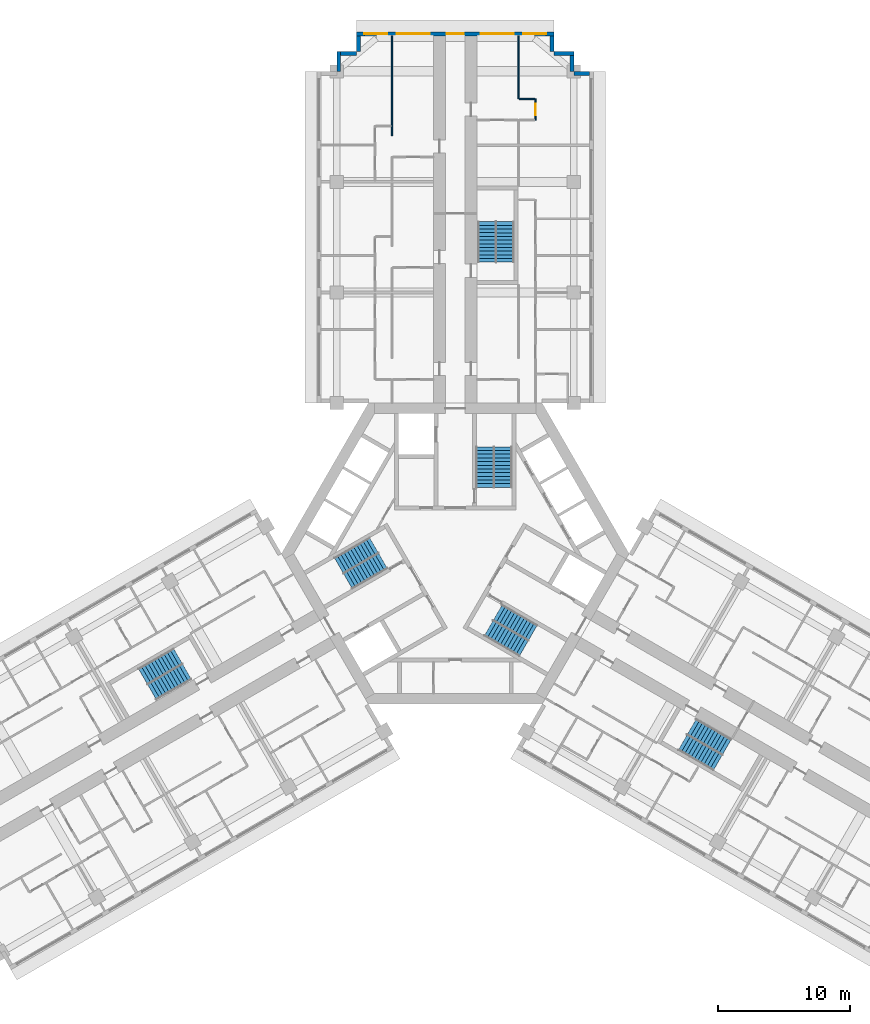
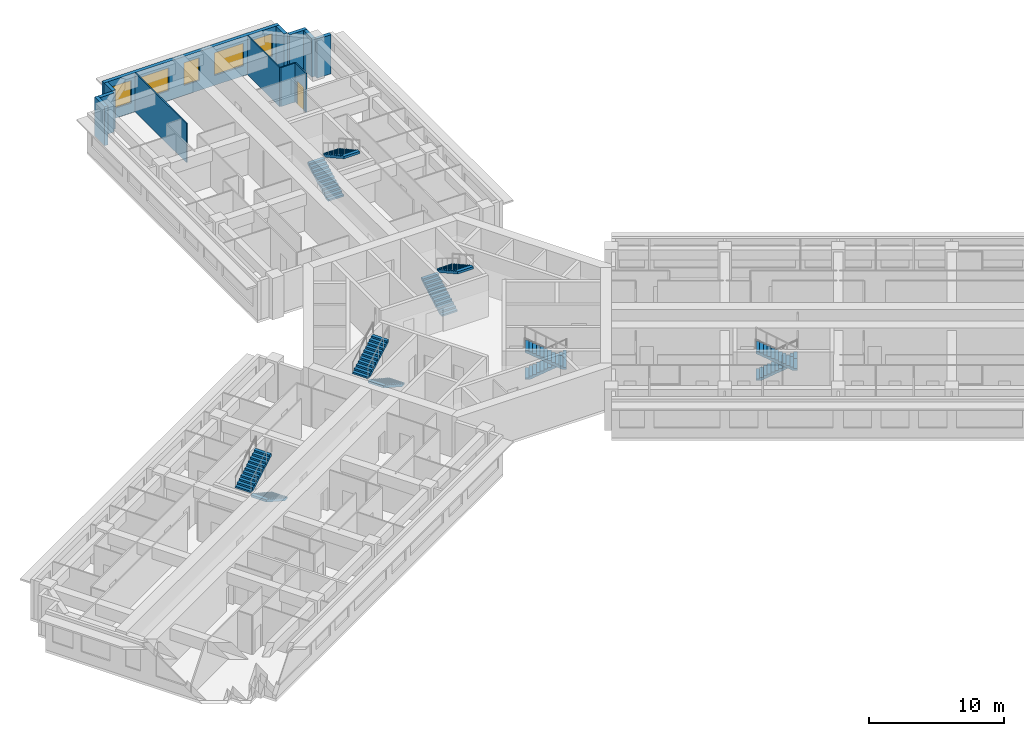
# One storey, part 13 of 14: 12 stair flights, 12 walls, 5 windows, 1 door, 6 openings, 6 elements without a shape of their own.
"""IFC4 building model written with IfcOpenShell, lengths in metres."""

from ifc_helpers import new_model, si_unit, direction, frame, frame_2d, origin, place, context, subcontext, project, spatial, polyline, rectangle, outline, extrude, material, layer, layer_set, type_object, element, fill, aggregate, save


model = new_model("IFC4")

# Units and contexts
model_context = context("Model", 3, precision=1e-05, world=origin(), true_north=direction((0.0, 1.0)))
body_context = subcontext(model_context, "Body", "Model", "MODEL_VIEW")
ifc_project = project(units=[si_unit("LENGTHUNIT", "METRE"), si_unit("AREAUNIT", "SQUARE_METRE"), si_unit("VOLUMEUNIT", "CUBIC_METRE"), si_unit("PLANEANGLEUNIT", "RADIAN"), si_unit("MASSUNIT", "GRAM", prefix="KILO")], contexts=[model_context])

# Site, building, storey
site_placement = place(None, origin())
site = spatial("IfcSite", under=ifc_project, at=site_placement, CompositionType="ELEMENT")
building_placement = place(site_placement, origin())
building = spatial("IfcBuilding", under=site, at=building_placement, Name="Impinga Residences", CompositionType="ELEMENT")
storey_placement = place(building_placement, frame((0.0, 0.0, 124.75)))
storey = spatial("IfcBuildingStorey", under=building, at=storey_placement, Name="L30", CompositionType="ELEMENT", Elevation=124.75)

# Walls
ifc_material_1 = material(Name="Terracotta rainscreen on blockwork", Category="masonry")
ifc_layer_1 = layer(ifc_material_1, 0.300048828125)
ifc_layer_set_1 = layer_set([ifc_layer_1], Name="EW1 external wall, terracotta rainscreen on blockwork 300")
wall_type_1 = type_object("IfcWallType", Name="EW1 external wall, terracotta rainscreen on blockwork 300", PredefinedType="SOLIDWALL", material=ifc_layer_set_1)
wall_1_placement = place(storey_placement, frame((-8.85009765625, 36.636474609375, 0.0), z_axis=(0.0, 0.0, 1.0), x_axis=(0.0, 1.0, 0.0)))
element("IfcWall", 1, at=wall_1_placement, inside=storey, type_object=wall_type_1, Name="External wall EW1 L30", PredefinedType="SOLIDWALL", context=body_context, shape_type="SweptSolid", body=[
    extrude(rectangle(XDim=1.4951171875, YDim=0.300048828125, at=frame_2d((0.74755859375, 0.0))), origin(), (0.0, 0.0, 1.0), 3.530029296875),
])
wall_2_placement = place(storey_placement, frame((-8.699951171875, 37.9814453125, 0.0), z_axis=(0.0, 0.0, 1.0), x_axis=(1.0, 0.0, 0.0)))
element("IfcWall", 2, at=wall_2_placement, inside=storey, type_object=wall_type_1, Name="External wall EW1 L30", PredefinedType="SOLIDWALL", context=body_context, shape_type="SweptSolid", body=[
    extrude(rectangle(XDim=1.199951171875, YDim=0.300048828125, at=frame_2d((0.60009765625, 0.0))), origin(), (0.0, 0.0, 1.0), 3.530029296875),
])
wall_3_placement = place(storey_placement, frame((-7.35009765625, 38.136474609375, 0.0), z_axis=(0.0, 0.0, 1.0), x_axis=(0.0, 1.0, 0.0)))
element("IfcWall", 3, at=wall_3_placement, inside=storey, type_object=wall_type_1, Name="External wall EW1 L30", PredefinedType="SOLIDWALL", context=body_context, shape_type="SweptSolid", body=[
    extrude(rectangle(XDim=1.195068359375, YDim=0.300048828125, at=frame_2d((0.59765625, 0.0))), origin(), (0.0, 0.0, 1.0), 3.530029296875),
])

# Wall, openings, windows
wall_4_placement = place(storey_placement, frame((-7.5, 39.4814453125, 0.0), z_axis=(0.0, 0.0, 1.0), x_axis=(1.0, 0.0, 0.0)))
wall_4 = element("IfcWall", 4, at=wall_4_placement, inside=storey, type_object=wall_type_1, Name="External wall EW1 L30", PredefinedType="SOLIDWALL", context=body_context, shape_type="SweptSolid", body=[
    extrude(rectangle(XDim=15.0, YDim=0.300048828125, at=frame_2d((7.5, 0.0))), origin(), (0.0, 0.0, 1.0), 3.530029296875),
])
opening_1_placement = place(wall_4_placement, frame((0.60009765625, 0.0, 0.89990234375)))
opening_1 = element("IfcOpeningElement", 5, at=opening_1_placement, cuts=wall_4, Name="Opening W1", PredefinedType="OPENING", context=body_context, shape_type="SweptSolid", body=[
    extrude(rectangle(XDim=1.75, YDim=2.050048828125, at=frame_2d((0.875, 1.02490234375))), frame((0.0, 0.159912109375, 0.0), z_axis=(0.0, -1.0, 0.0), x_axis=(1.0, 0.0, 0.0)), (0.0, 0.0, 1.0), 0.320068359375),
])
opening_2_placement = place(wall_4_placement, frame((3.050048828125, 0.0, 0.89990234375)))
opening_2 = element("IfcOpeningElement", 6, at=opening_2_placement, cuts=wall_4, Name="Opening W2", PredefinedType="OPENING", context=body_context, shape_type="SweptSolid", body=[
    extrude(rectangle(XDim=2.5, YDim=2.050048828125, at=frame_2d((1.25, 1.02490234375))), frame((0.0, 0.159912109375, 0.0), z_axis=(0.0, -1.0, 0.0), x_axis=(1.0, 0.0, 0.0)), (0.0, 0.0, 1.0), 0.320068359375),
])
opening_3_placement = place(wall_4_placement, frame((6.85009765625, 0.0, 0.89990234375)))
opening_3 = element("IfcOpeningElement", 7, at=opening_3_placement, cuts=wall_4, Name="Opening W17", PredefinedType="OPENING", context=body_context, shape_type="SweptSolid", body=[
    extrude(rectangle(XDim=1.300048828125, YDim=2.050048828125, at=frame_2d((0.64990234375, 1.02490234375))), frame((0.0, 0.159912109375, 0.0), z_axis=(0.0, -1.0, 0.0), x_axis=(1.0, 0.0, 0.0)), (0.0, 0.0, 1.0), 0.320068359375),
])
opening_4_placement = place(wall_4_placement, frame((9.449951171875, 0.0, 0.89990234375)))
opening_4 = element("IfcOpeningElement", 8, at=opening_4_placement, cuts=wall_4, Name="Opening W2", PredefinedType="OPENING", context=body_context, shape_type="SweptSolid", body=[
    extrude(rectangle(XDim=2.5, YDim=2.050048828125, at=frame_2d((1.25, 1.02490234375))), frame((0.0, 0.159912109375, 0.0), z_axis=(0.0, -1.0, 0.0), x_axis=(1.0, 0.0, 0.0)), (0.0, 0.0, 1.0), 0.320068359375),
])
opening_5_placement = place(wall_4_placement, frame((12.64990234375, 0.0, 0.89990234375)))
opening_5 = element("IfcOpeningElement", 9, at=opening_5_placement, cuts=wall_4, Name="Opening W1", PredefinedType="OPENING", context=body_context, shape_type="SweptSolid", body=[
    extrude(rectangle(XDim=1.75, YDim=2.050048828125, at=frame_2d((0.875, 1.02490234375))), frame((0.0, 0.159912109375, 0.0), z_axis=(0.0, -1.0, 0.0), x_axis=(1.0, 0.0, 0.0)), (0.0, 0.0, 1.0), 0.320068359375),
])
ifc_material_2 = material(Name="Aluminium window, clear double glazing", Category="aluminium")
window_type_1 = type_object("IfcWindowType", Name="W1 ribbon window 1750x2050", PartitioningType="SINGLE_PANEL", PredefinedType="WINDOW", material=ifc_material_2)
window_1_placement = place(opening_1_placement, origin())
window_1 = element("IfcWindow", 10, at=window_1_placement, inside=storey, type_object=window_type_1, Name="Window L30", OverallHeight=2.050048828125, OverallWidth=1.75, PartitioningType="SINGLE_PANEL", PredefinedType="WINDOW", context=body_context, shape_type="SweptSolid", body=[
    extrude(rectangle(XDim=1.75, YDim=2.050048828125, at=frame_2d((0.875, 1.02490234375))), frame((0.0, 0.030029296875, 0.0), z_axis=(0.0, -1.0, 0.0), x_axis=(1.0, 0.0, 0.0)), (0.0, 0.0, 1.0), 0.06005859375),
])
fill(opening_1, window_1)
window_2_placement = place(opening_5_placement, origin())
window_2 = element("IfcWindow", 11, at=window_2_placement, inside=storey, type_object=window_type_1, Name="Window L30", OverallHeight=2.050048828125, OverallWidth=1.75, PartitioningType="SINGLE_PANEL", PredefinedType="WINDOW", context=body_context, shape_type="SweptSolid", body=[
    extrude(rectangle(XDim=1.75, YDim=2.050048828125, at=frame_2d((0.875, 1.02490234375))), frame((0.0, 0.030029296875, 0.0), z_axis=(0.0, -1.0, 0.0), x_axis=(1.0, 0.0, 0.0)), (0.0, 0.0, 1.0), 0.06005859375),
])
fill(opening_5, window_2)
window_type_2 = type_object("IfcWindowType", Name="W17 ribbon window 1300x2050", PartitioningType="SINGLE_PANEL", PredefinedType="WINDOW", material=ifc_material_2)
window_3_placement = place(opening_3_placement, origin())
window_3 = element("IfcWindow", 12, at=window_3_placement, inside=storey, type_object=window_type_2, Name="Window L30", OverallHeight=2.050048828125, OverallWidth=1.300048828125, PartitioningType="SINGLE_PANEL", PredefinedType="WINDOW", context=body_context, shape_type="SweptSolid", body=[
    extrude(rectangle(XDim=1.300048828125, YDim=2.050048828125, at=frame_2d((0.64990234375, 1.02490234375))), frame((0.0, 0.030029296875, 0.0), z_axis=(0.0, -1.0, 0.0), x_axis=(1.0, 0.0, 0.0)), (0.0, 0.0, 1.0), 0.06005859375),
])
fill(opening_3, window_3)
window_type_3 = type_object("IfcWindowType", Name="W2 ribbon window 2500x2050", PartitioningType="SINGLE_PANEL", PredefinedType="WINDOW", material=ifc_material_2)
window_4_placement = place(opening_2_placement, origin())
window_4 = element("IfcWindow", 13, at=window_4_placement, inside=storey, type_object=window_type_3, Name="Window L30", OverallHeight=2.050048828125, OverallWidth=2.5, PartitioningType="SINGLE_PANEL", PredefinedType="WINDOW", context=body_context, shape_type="SweptSolid", body=[
    extrude(rectangle(XDim=2.5, YDim=2.050048828125, at=frame_2d((1.25, 1.02490234375))), frame((0.0, 0.030029296875, 0.0), z_axis=(0.0, -1.0, 0.0), x_axis=(1.0, 0.0, 0.0)), (0.0, 0.0, 1.0), 0.06005859375),
])
fill(opening_2, window_4)
window_5_placement = place(opening_4_placement, origin())
window_5 = element("IfcWindow", 14, at=window_5_placement, inside=storey, type_object=window_type_3, Name="Window L30", OverallHeight=2.050048828125, OverallWidth=2.5, PartitioningType="SINGLE_PANEL", PredefinedType="WINDOW", context=body_context, shape_type="SweptSolid", body=[
    extrude(rectangle(XDim=2.5, YDim=2.050048828125, at=frame_2d((1.25, 1.02490234375))), frame((0.0, 0.030029296875, 0.0), z_axis=(0.0, -1.0, 0.0), x_axis=(1.0, 0.0, 0.0)), (0.0, 0.0, 1.0), 0.06005859375),
])
fill(opening_4, window_5)

# Walls
wall_5_placement = place(storey_placement, frame((7.35009765625, 39.33154296875, 0.0), z_axis=(0.0, 0.0, 1.0), x_axis=(0.0, -1.0, 0.0)))
element("IfcWall", 15, at=wall_5_placement, inside=storey, type_object=wall_type_1, Name="External wall EW1 L30", PredefinedType="SOLIDWALL", context=body_context, shape_type="SweptSolid", body=[
    extrude(rectangle(XDim=1.195068359375, YDim=0.300048828125, at=frame_2d((0.59765625, 0.0))), origin(), (0.0, 0.0, 1.0), 3.530029296875),
])
wall_6_placement = place(storey_placement, frame((7.5, 37.9814453125, 0.0), z_axis=(0.0, 0.0, 1.0), x_axis=(1.0, 0.0, 0.0)))
element("IfcWall", 16, at=wall_6_placement, inside=storey, type_object=wall_type_1, Name="External wall EW1 L30", PredefinedType="SOLIDWALL", context=body_context, shape_type="SweptSolid", body=[
    extrude(rectangle(XDim=1.5, YDim=0.300048828125, at=frame_2d((0.75, 0.0))), origin(), (0.0, 0.0, 1.0), 3.530029296875),
])
wall_7_placement = place(storey_placement, frame((8.85009765625, 37.83154296875, 0.0), z_axis=(0.0, 0.0, 1.0), x_axis=(0.0, -1.0, 0.0)))
element("IfcWall", 17, at=wall_7_placement, inside=storey, type_object=wall_type_1, Name="External wall EW1 L30", PredefinedType="SOLIDWALL", context=body_context, shape_type="SweptSolid", body=[
    extrude(rectangle(XDim=1.199951171875, YDim=0.300048828125, at=frame_2d((0.60009765625, 0.0))), origin(), (0.0, 0.0, 1.0), 3.530029296875),
])
wall_8_placement = place(storey_placement, frame((9.0048828125, 36.4814453125, 0.0), z_axis=(0.0, 0.0, 1.0), x_axis=(1.0, 0.0, 0.0)))
element("IfcWall", 18, at=wall_8_placement, inside=storey, type_object=wall_type_1, Name="External wall EW1 L30", PredefinedType="SOLIDWALL", context=body_context, shape_type="SweptSolid", body=[
    extrude(rectangle(XDim=1.195068359375, YDim=0.300048828125, at=frame_2d((0.59765625, 0.0))), origin(), (0.0, 0.0, 1.0), 3.530029296875),
])
ifc_material_3 = material(Name="Gypsum board on steel studs", Category="steel")
ifc_layer_2 = layer(ifc_material_3, 0.10009765625)
ifc_layer_set_2 = layer_set([ifc_layer_2], Name="Gypsum board on steel studs")
wall_type_2 = type_object("IfcWallType", Name="IP1 partition 100", PredefinedType="PARTITIONING", material=ifc_layer_set_2)
wall_9_placement = place(storey_placement, frame((-4.800048828125, 31.7314453125, 0.0), z_axis=(0.0, 0.0, 1.0), x_axis=(0.0, 1.0, 0.0)))
element("IfcWall", 19, at=wall_9_placement, inside=storey, type_object=wall_type_2, Name="Partition L30-NA3:DIV1", PredefinedType="PARTITIONING", context=body_context, shape_type="SweptSolid", body=[
    extrude(rectangle(XDim=7.60009765625, YDim=0.10009765625, at=frame_2d((3.800048828125, 0.0))), origin(), (0.0, 0.0, 1.0), 3.530029296875),
])
wall_10_placement = place(storey_placement, frame((4.800048828125, 34.531494140625, 0.0), z_axis=(0.0, 0.0, 1.0), x_axis=(0.0, 1.0, 0.0)))
element("IfcWall", 20, at=wall_10_placement, inside=storey, type_object=wall_type_2, Name="Partition L30-NF2:DIV1", PredefinedType="PARTITIONING", context=body_context, shape_type="SweptSolid", body=[
    extrude(rectangle(XDim=4.800048828125, YDim=0.10009765625, at=frame_2d((2.39990234375, 0.0))), origin(), (0.0, 0.0, 1.0), 3.530029296875),
])

# Wall, opening, door
wall_11_placement = place(storey_placement, frame((6.10009765625, 32.931640625, 0.0), z_axis=(0.0, 0.0, 1.0), x_axis=(0.0, 1.0, 0.0)))
wall_11 = element("IfcWall", 21, at=wall_11_placement, inside=storey, type_object=wall_type_2, Name="Partition L30-NF2:STRIP", PredefinedType="PARTITIONING", context=body_context, shape_type="SweptSolid", body=[
    extrude(rectangle(XDim=1.599853515625, YDim=0.10009765625, at=frame_2d((0.7998046875, 0.0))), origin(), (0.0, 0.0, 1.0), 3.530029296875),
])
opening_6_placement = place(wall_11_placement, frame((0.35009765625, 0.0, 0.0)))
opening_6 = element("IfcOpeningElement", 22, at=opening_6_placement, cuts=wall_11, Name="Opening D2", PredefinedType="OPENING", context=body_context, shape_type="SweptSolid", body=[
    extrude(rectangle(XDim=0.89990234375, YDim=2.10009765625, at=frame_2d((0.449951171875, 1.050048828125))), frame((0.0, 0.06005859375, 0.0), z_axis=(0.0, -1.0, 0.0), x_axis=(1.0, 0.0, 0.0)), (0.0, 0.0, 1.0), 0.1201171875),
])
ifc_material_4 = material(Name="Timber door set", Category="wood")
door_type = type_object("IfcDoorType", Name="D2 internal door 900x2100", OperationType="SINGLE_SWING_LEFT", PredefinedType="DOOR", material=ifc_material_4)
door_placement = place(opening_6_placement, origin())
door = element("IfcDoor", 23, at=door_placement, inside=storey, type_object=door_type, Name="Apartment L30-NF2 room door", OperationType="SINGLE_SWING_LEFT", OverallHeight=2.10009765625, OverallWidth=0.89990234375, PredefinedType="DOOR", context=body_context, shape_type="SweptSolid", body=[
    extrude(rectangle(XDim=0.89990234375, YDim=2.10009765625, at=frame_2d((0.449951171875, 1.050048828125))), frame((0.0, 0.02490234375, 0.0), z_axis=(0.0, -1.0, 0.0), x_axis=(1.0, 0.0, 0.0)), (0.0, 0.0, 1.0), 0.050048828125),
])
fill(opening_6, door)

# Wall
wall_12_placement = place(storey_placement, frame((4.85009765625, 34.531494140625, 0.0), z_axis=(0.0, 0.0, 1.0), x_axis=(1.0, 0.0, 0.0)))
element("IfcWall", 24, at=wall_12_placement, inside=storey, type_object=wall_type_2, Name="Partition L30-NF2:SE1", PredefinedType="PARTITIONING", context=body_context, shape_type="SweptSolid", body=[
    extrude(rectangle(XDim=1.199951171875, YDim=0.10009765625, at=frame_2d((0.60009765625, 0.0))), origin(), (0.0, 0.0, 1.0), 3.530029296875),
])

# Stair, stair flights
ifc_material_5 = material(Name="Concrete C40/50", Category="concrete")
stair_type_1 = type_object("IfcStairType", Name="STR core stair 3750 storey, 24 risers", PredefinedType="HALF_TURN_STAIR", material=ifc_material_5)
stair_1_placement = place(storey_placement, origin())
stair_1 = element("IfcStair", 25, at=stair_1_placement, inside=storey, type_object=stair_type_1, Name="Stair ST1 L30", PredefinedType="HALF_TURN_STAIR")
stair_flight_type = type_object("IfcStairFlightType", Name="SF 12 risers of 156", PredefinedType="STRAIGHT", material=ifc_material_5)
stair_flight_1_placement = place(storey_placement, frame((2.27490234375, 5.030029296875, 0.0), z_axis=(0.0, 0.0, 1.0), x_axis=(0.0, 1.0, 0.0)))
stair_flight_1 = element("IfcStairFlight", 26, at=stair_flight_1_placement, type_object=stair_flight_type, Name="ST1 flight 1", NumberOfRisers=12, NumberOfTreads=11, PredefinedType="STRAIGHT", RiserHeight=0.15625, TreadLength=0.28, context=body_context, shape_type="SweptSolid", body=[
    extrude(outline(polyline([(0.0, 0.0), (0.0, 0.15625), (0.280029296875, 0.15625), (0.280029296875, 0.3125), (0.56005859375, 0.3125), (0.56005859375, 0.46875), (0.840087890625, 0.46875), (0.840087890625, 0.625), (1.1201171875, 0.625), (1.1201171875, 0.78125), (1.39990234375, 0.78125), (1.39990234375, 0.9375), (1.679931640625, 0.9375), (1.679931640625, 1.09375), (1.9599609375, 1.09375), (1.9599609375, 1.25), (2.239990234375, 1.25), (2.239990234375, 1.40625), (2.52001953125, 1.40625), (2.52001953125, 1.5625), (2.800048828125, 1.5625), (2.800048828125, 1.71875), (3.080078125, 1.71875), (3.080078125, 1.875), (3.080078125, 1.5126953125), (0.369140625, 0.0), (0.0, 0.0)])), frame((0.0, 0.675048828125, 0.0), z_axis=(0.0, -1.0, 0.0), x_axis=(1.0, 0.0, 0.0)), (0.0, 0.0, 1.0), 1.35009765625),
])
stair_flight_2_placement = place(storey_placement, frame((3.625, 8.110107421875, 1.875), z_axis=(0.0, 0.0, 1.0), x_axis=(0.0, -1.0, 0.0)))
stair_flight_2 = element("IfcStairFlight", 27, at=stair_flight_2_placement, type_object=stair_flight_type, Name="ST1 flight 2", NumberOfRisers=12, NumberOfTreads=11, PredefinedType="STRAIGHT", RiserHeight=0.15625, TreadLength=0.28, context=body_context, shape_type="SweptSolid", body=[
    extrude(outline(polyline([(0.0, 0.0), (0.0, 0.15625), (0.280029296875, 0.15625), (0.280029296875, 0.3125), (0.56005859375, 0.3125), (0.56005859375, 0.46875), (0.840087890625, 0.46875), (0.840087890625, 0.625), (1.1201171875, 0.625), (1.1201171875, 0.78125), (1.39990234375, 0.78125), (1.39990234375, 0.9375), (1.679931640625, 0.9375), (1.679931640625, 1.09375), (1.9599609375, 1.09375), (1.9599609375, 1.25), (2.239990234375, 1.25), (2.239990234375, 1.40625), (2.52001953125, 1.40625), (2.52001953125, 1.5625), (2.800048828125, 1.5625), (2.800048828125, 1.71875), (3.080078125, 1.71875), (3.080078125, 1.875), (3.080078125, 1.5126953125), (0.369140625, 0.0), (0.0, 0.0)])), frame((0.0, 0.675048828125, 0.0), z_axis=(0.0, -1.0, 0.0), x_axis=(1.0, 0.0, 0.0)), (0.0, 0.0, 1.0), 1.35009765625),
])
aggregate(stair_1, [stair_flight_1, stair_flight_2])

stair_2_placement = place(storey_placement, origin())
stair_2 = element("IfcStair", 28, at=stair_2_placement, inside=storey, type_object=stair_type_1, Name="Stair ST2 L30", PredefinedType="HALF_TURN_STAIR")
stair_flight_3_placement = place(storey_placement, frame((-5.49365234375, -0.544677734375, 0.0), z_axis=(0.0, 0.0, 1.0), x_axis=(-0.866025403784, -0.5, 0.0)))
stair_flight_3 = element("IfcStairFlight", 29, at=stair_flight_3_placement, type_object=stair_flight_type, Name="ST2 flight 1", NumberOfRisers=12, NumberOfTreads=11, PredefinedType="STRAIGHT", RiserHeight=0.15625, TreadLength=0.28, context=body_context, shape_type="SweptSolid", body=[
    extrude(outline(polyline([(0.0, 0.0), (0.0, 0.15625), (0.280029296875, 0.15625), (0.280029296875, 0.3125), (0.56005859375, 0.3125), (0.56005859375, 0.46875), (0.840087890625, 0.46875), (0.840087890625, 0.625), (1.1201171875, 0.625), (1.1201171875, 0.78125), (1.39990234375, 0.78125), (1.39990234375, 0.9375), (1.679931640625, 0.9375), (1.679931640625, 1.09375), (1.9599609375, 1.09375), (1.9599609375, 1.25), (2.239990234375, 1.25), (2.239990234375, 1.40625), (2.52001953125, 1.40625), (2.52001953125, 1.5625), (2.800048828125, 1.5625), (2.800048828125, 1.71875), (3.080078125, 1.71875), (3.080078125, 1.875), (3.080078125, 1.5126953125), (0.369140625, 0.0), (0.0, 0.0)])), frame((0.0, 0.675048828125, 0.0), z_axis=(0.0, -1.0, 0.0), x_axis=(1.0, 0.0, 0.0)), (0.0, 0.0, 1.0), 1.35009765625),
])
stair_flight_4_placement = place(storey_placement, frame((-8.8359375, -0.915771484375, 1.875), z_axis=(0.0, 0.0, 1.0), x_axis=(0.866025403784, 0.5, 0.0)))
stair_flight_4 = element("IfcStairFlight", 30, at=stair_flight_4_placement, type_object=stair_flight_type, Name="ST2 flight 2", NumberOfRisers=12, NumberOfTreads=11, PredefinedType="STRAIGHT", RiserHeight=0.15625, TreadLength=0.28, context=body_context, shape_type="SweptSolid", body=[
    extrude(outline(polyline([(0.0, 0.0), (0.0, 0.15625), (0.280029296875, 0.15625), (0.280029296875, 0.3125), (0.56005859375, 0.3125), (0.56005859375, 0.46875), (0.840087890625, 0.46875), (0.840087890625, 0.625), (1.1201171875, 0.625), (1.1201171875, 0.78125), (1.39990234375, 0.78125), (1.39990234375, 0.9375), (1.679931640625, 0.9375), (1.679931640625, 1.09375), (1.9599609375, 1.09375), (1.9599609375, 1.25), (2.239990234375, 1.25), (2.239990234375, 1.40625), (2.52001953125, 1.40625), (2.52001953125, 1.5625), (2.800048828125, 1.5625), (2.800048828125, 1.71875), (3.080078125, 1.71875), (3.080078125, 1.875), (3.080078125, 1.5126953125), (0.369140625, 0.0), (0.0, 0.0)])), frame((0.0, 0.675048828125, 0.0), z_axis=(0.0, -1.0, 0.0), x_axis=(1.0, 0.0, 0.0)), (0.0, 0.0, 1.0), 1.35009765625),
])
aggregate(stair_2, [stair_flight_3, stair_flight_4])

stair_3_placement = place(storey_placement, origin())
stair_3 = element("IfcStair", 31, at=stair_3_placement, inside=storey, type_object=stair_type_1, Name="Stair ST3 L30", PredefinedType="HALF_TURN_STAIR")
stair_flight_5_placement = place(storey_placement, frame((3.218505859375, -4.485107421875, 0.0), z_axis=(0.0, 0.0, 1.0), x_axis=(0.866025403784, -0.5, 0.0)))
stair_flight_5 = element("IfcStairFlight", 32, at=stair_flight_5_placement, type_object=stair_flight_type, Name="ST3 flight 1", NumberOfRisers=12, NumberOfTreads=11, PredefinedType="STRAIGHT", RiserHeight=0.15625, TreadLength=0.28, context=body_context, shape_type="SweptSolid", body=[
    extrude(outline(polyline([(0.0, 0.0), (0.0, 0.15625), (0.280029296875, 0.15625), (0.280029296875, 0.3125), (0.56005859375, 0.3125), (0.56005859375, 0.46875), (0.840087890625, 0.46875), (0.840087890625, 0.625), (1.1201171875, 0.625), (1.1201171875, 0.78125), (1.39990234375, 0.78125), (1.39990234375, 0.9375), (1.679931640625, 0.9375), (1.679931640625, 1.09375), (1.9599609375, 1.09375), (1.9599609375, 1.25), (2.239990234375, 1.25), (2.239990234375, 1.40625), (2.52001953125, 1.40625), (2.52001953125, 1.5625), (2.800048828125, 1.5625), (2.800048828125, 1.71875), (3.080078125, 1.71875), (3.080078125, 1.875), (3.080078125, 1.5126953125), (0.369140625, 0.0), (0.0, 0.0)])), frame((0.0, 0.675048828125, 0.0), z_axis=(0.0, -1.0, 0.0), x_axis=(1.0, 0.0, 0.0)), (0.0, 0.0, 1.0), 1.35009765625),
])
stair_flight_6_placement = place(storey_placement, frame((5.2109375, -7.1943359375, 1.875), z_axis=(0.0, 0.0, 1.0), x_axis=(-0.866025403784, 0.5, 0.0)))
stair_flight_6 = element("IfcStairFlight", 33, at=stair_flight_6_placement, type_object=stair_flight_type, Name="ST3 flight 2", NumberOfRisers=12, NumberOfTreads=11, PredefinedType="STRAIGHT", RiserHeight=0.15625, TreadLength=0.28, context=body_context, shape_type="SweptSolid", body=[
    extrude(outline(polyline([(0.0, 0.0), (0.0, 0.15625), (0.280029296875, 0.15625), (0.280029296875, 0.3125), (0.56005859375, 0.3125), (0.56005859375, 0.46875), (0.840087890625, 0.46875), (0.840087890625, 0.625), (1.1201171875, 0.625), (1.1201171875, 0.78125), (1.39990234375, 0.78125), (1.39990234375, 0.9375), (1.679931640625, 0.9375), (1.679931640625, 1.09375), (1.9599609375, 1.09375), (1.9599609375, 1.25), (2.239990234375, 1.25), (2.239990234375, 1.40625), (2.52001953125, 1.40625), (2.52001953125, 1.5625), (2.800048828125, 1.5625), (2.800048828125, 1.71875), (3.080078125, 1.71875), (3.080078125, 1.875), (3.080078125, 1.5126953125), (0.369140625, 0.0), (0.0, 0.0)])), frame((0.0, 0.675048828125, 0.0), z_axis=(0.0, -1.0, 0.0), x_axis=(1.0, 0.0, 0.0)), (0.0, 0.0, 1.0), 1.35009765625),
])
aggregate(stair_3, [stair_flight_5, stair_flight_6])

stair_type_2 = type_object("IfcStairType", Name="STR wing stair 3750 storey, 24 risers", PredefinedType="HALF_TURN_STAIR", material=ifc_material_5)
stair_4_placement = place(storey_placement, origin())
stair_4 = element("IfcStair", 34, at=stair_4_placement, inside=storey, type_object=stair_type_2, Name="Stair WS1 L30", PredefinedType="HALF_TURN_STAIR")
stair_flight_7_placement = place(storey_placement, frame((2.425048828125, 22.131591796875, 0.0), z_axis=(0.0, 0.0, 1.0), x_axis=(0.0, 1.0, 0.0)))
stair_flight_7 = element("IfcStairFlight", 35, at=stair_flight_7_placement, type_object=stair_flight_type, Name="WS1 flight 1", NumberOfRisers=12, NumberOfTreads=11, PredefinedType="STRAIGHT", RiserHeight=0.15625, TreadLength=0.28, context=body_context, shape_type="SweptSolid", body=[
    extrude(outline(polyline([(0.0, 0.0), (0.0, 0.15625), (0.280029296875, 0.15625), (0.280029296875, 0.3125), (0.56005859375, 0.3125), (0.56005859375, 0.46875), (0.840087890625, 0.46875), (0.840087890625, 0.625), (1.1201171875, 0.625), (1.1201171875, 0.78125), (1.39990234375, 0.78125), (1.39990234375, 0.9375), (1.679931640625, 0.9375), (1.679931640625, 1.09375), (1.9599609375, 1.09375), (1.9599609375, 1.25), (2.239990234375, 1.25), (2.239990234375, 1.40625), (2.52001953125, 1.40625), (2.52001953125, 1.5625), (2.800048828125, 1.5625), (2.800048828125, 1.71875), (3.080078125, 1.71875), (3.080078125, 1.875), (3.080078125, 1.5126953125), (0.369140625, 0.0), (0.0, 0.0)])), frame((0.0, 0.675048828125, 0.0), z_axis=(0.0, -1.0, 0.0), x_axis=(1.0, 0.0, 0.0)), (0.0, 0.0, 1.0), 1.35009765625),
])
stair_flight_8_placement = place(storey_placement, frame((3.77490234375, 25.21142578125, 1.875), z_axis=(0.0, 0.0, 1.0), x_axis=(0.0, -1.0, 0.0)))
stair_flight_8 = element("IfcStairFlight", 36, at=stair_flight_8_placement, type_object=stair_flight_type, Name="WS1 flight 2", NumberOfRisers=12, NumberOfTreads=11, PredefinedType="STRAIGHT", RiserHeight=0.15625, TreadLength=0.28, context=body_context, shape_type="SweptSolid", body=[
    extrude(outline(polyline([(0.0, 0.0), (0.0, 0.15625), (0.280029296875, 0.15625), (0.280029296875, 0.3125), (0.56005859375, 0.3125), (0.56005859375, 0.46875), (0.840087890625, 0.46875), (0.840087890625, 0.625), (1.1201171875, 0.625), (1.1201171875, 0.78125), (1.39990234375, 0.78125), (1.39990234375, 0.9375), (1.679931640625, 0.9375), (1.679931640625, 1.09375), (1.9599609375, 1.09375), (1.9599609375, 1.25), (2.239990234375, 1.25), (2.239990234375, 1.40625), (2.52001953125, 1.40625), (2.52001953125, 1.5625), (2.800048828125, 1.5625), (2.800048828125, 1.71875), (3.080078125, 1.71875), (3.080078125, 1.875), (3.080078125, 1.5126953125), (0.369140625, 0.0), (0.0, 0.0)])), frame((0.0, 0.675048828125, 0.0), z_axis=(0.0, -1.0, 0.0), x_axis=(1.0, 0.0, 0.0)), (0.0, 0.0, 1.0), 1.35009765625),
])
aggregate(stair_4, [stair_flight_7, stair_flight_8])

stair_5_placement = place(storey_placement, origin())
stair_5 = element("IfcStair", 37, at=stair_5_placement, inside=storey, type_object=stair_type_2, Name="Stair WS2 L30", PredefinedType="HALF_TURN_STAIR")
stair_flight_9_placement = place(storey_placement, frame((-20.37890625, -8.965576171875, 0.0), z_axis=(0.0, 0.0, 1.0), x_axis=(-0.866025403784, -0.5, 0.0)))
stair_flight_9 = element("IfcStairFlight", 38, at=stair_flight_9_placement, type_object=stair_flight_type, Name="WS2 flight 1", NumberOfRisers=12, NumberOfTreads=11, PredefinedType="STRAIGHT", RiserHeight=0.15625, TreadLength=0.28, context=body_context, shape_type="SweptSolid", body=[
    extrude(outline(polyline([(0.0, 0.0), (0.0, 0.15625), (0.280029296875, 0.15625), (0.280029296875, 0.3125), (0.56005859375, 0.3125), (0.56005859375, 0.46875), (0.840087890625, 0.46875), (0.840087890625, 0.625), (1.1201171875, 0.625), (1.1201171875, 0.78125), (1.39990234375, 0.78125), (1.39990234375, 0.9375), (1.679931640625, 0.9375), (1.679931640625, 1.09375), (1.9599609375, 1.09375), (1.9599609375, 1.25), (2.239990234375, 1.25), (2.239990234375, 1.40625), (2.52001953125, 1.40625), (2.52001953125, 1.5625), (2.800048828125, 1.5625), (2.800048828125, 1.71875), (3.080078125, 1.71875), (3.080078125, 1.875), (3.080078125, 1.5126953125), (0.369140625, 0.0), (0.0, 0.0)])), frame((0.0, 0.675048828125, 0.0), z_axis=(0.0, -1.0, 0.0), x_axis=(1.0, 0.0, 0.0)), (0.0, 0.0, 1.0), 1.35009765625),
])
stair_flight_10_placement = place(storey_placement, frame((-23.721435546875, -9.33642578125, 1.875), z_axis=(0.0, 0.0, 1.0), x_axis=(0.866025403784, 0.5, 0.0)))
stair_flight_10 = element("IfcStairFlight", 39, at=stair_flight_10_placement, type_object=stair_flight_type, Name="WS2 flight 2", NumberOfRisers=12, NumberOfTreads=11, PredefinedType="STRAIGHT", RiserHeight=0.15625, TreadLength=0.28, context=body_context, shape_type="SweptSolid", body=[
    extrude(outline(polyline([(0.0, 0.0), (0.0, 0.15625), (0.280029296875, 0.15625), (0.280029296875, 0.3125), (0.56005859375, 0.3125), (0.56005859375, 0.46875), (0.840087890625, 0.46875), (0.840087890625, 0.625), (1.1201171875, 0.625), (1.1201171875, 0.78125), (1.39990234375, 0.78125), (1.39990234375, 0.9375), (1.679931640625, 0.9375), (1.679931640625, 1.09375), (1.9599609375, 1.09375), (1.9599609375, 1.25), (2.239990234375, 1.25), (2.239990234375, 1.40625), (2.52001953125, 1.40625), (2.52001953125, 1.5625), (2.800048828125, 1.5625), (2.800048828125, 1.71875), (3.080078125, 1.71875), (3.080078125, 1.875), (3.080078125, 1.5126953125), (0.369140625, 0.0), (0.0, 0.0)])), frame((0.0, 0.675048828125, 0.0), z_axis=(0.0, -1.0, 0.0), x_axis=(1.0, 0.0, 0.0)), (0.0, 0.0, 1.0), 1.35009765625),
])
aggregate(stair_5, [stair_flight_9, stair_flight_10])

stair_6_placement = place(storey_placement, origin())
stair_6 = element("IfcStair", 40, at=stair_6_placement, inside=storey, type_object=stair_type_2, Name="Stair WS3 L30", PredefinedType="HALF_TURN_STAIR")
stair_flight_11_placement = place(storey_placement, frame((17.953857421875, -13.165771484375, 0.0), z_axis=(0.0, 0.0, 1.0), x_axis=(0.866025403784, -0.5, 0.0)))
stair_flight_11 = element("IfcStairFlight", 41, at=stair_flight_11_placement, type_object=stair_flight_type, Name="WS3 flight 1", NumberOfRisers=12, NumberOfTreads=11, PredefinedType="STRAIGHT", RiserHeight=0.15625, TreadLength=0.28, context=body_context, shape_type="SweptSolid", body=[
    extrude(outline(polyline([(0.0, 0.0), (0.0, 0.15625), (0.280029296875, 0.15625), (0.280029296875, 0.3125), (0.56005859375, 0.3125), (0.56005859375, 0.46875), (0.840087890625, 0.46875), (0.840087890625, 0.625), (1.1201171875, 0.625), (1.1201171875, 0.78125), (1.39990234375, 0.78125), (1.39990234375, 0.9375), (1.679931640625, 0.9375), (1.679931640625, 1.09375), (1.9599609375, 1.09375), (1.9599609375, 1.25), (2.239990234375, 1.25), (2.239990234375, 1.40625), (2.52001953125, 1.40625), (2.52001953125, 1.5625), (2.800048828125, 1.5625), (2.800048828125, 1.71875), (3.080078125, 1.71875), (3.080078125, 1.875), (3.080078125, 1.5126953125), (0.369140625, 0.0), (0.0, 0.0)])), frame((0.0, 0.675048828125, 0.0), z_axis=(0.0, -1.0, 0.0), x_axis=(1.0, 0.0, 0.0)), (0.0, 0.0, 1.0), 1.35009765625),
])
stair_flight_12_placement = place(storey_placement, frame((19.9462890625, -15.875, 1.875), z_axis=(0.0, 0.0, 1.0), x_axis=(-0.866025403784, 0.5, 0.0)))
stair_flight_12 = element("IfcStairFlight", 42, at=stair_flight_12_placement, type_object=stair_flight_type, Name="WS3 flight 2", NumberOfRisers=12, NumberOfTreads=11, PredefinedType="STRAIGHT", RiserHeight=0.15625, TreadLength=0.28, context=body_context, shape_type="SweptSolid", body=[
    extrude(outline(polyline([(0.0, 0.0), (0.0, 0.15625), (0.280029296875, 0.15625), (0.280029296875, 0.3125), (0.56005859375, 0.3125), (0.56005859375, 0.46875), (0.840087890625, 0.46875), (0.840087890625, 0.625), (1.1201171875, 0.625), (1.1201171875, 0.78125), (1.39990234375, 0.78125), (1.39990234375, 0.9375), (1.679931640625, 0.9375), (1.679931640625, 1.09375), (1.9599609375, 1.09375), (1.9599609375, 1.25), (2.239990234375, 1.25), (2.239990234375, 1.40625), (2.52001953125, 1.40625), (2.52001953125, 1.5625), (2.800048828125, 1.5625), (2.800048828125, 1.71875), (3.080078125, 1.71875), (3.080078125, 1.875), (3.080078125, 1.5126953125), (0.369140625, 0.0), (0.0, 0.0)])), frame((0.0, 0.675048828125, 0.0), z_axis=(0.0, -1.0, 0.0), x_axis=(1.0, 0.0, 0.0)), (0.0, 0.0, 1.0), 1.35009765625),
])
aggregate(stair_6, [stair_flight_11, stair_flight_12])

save(model, "model.ifc")
